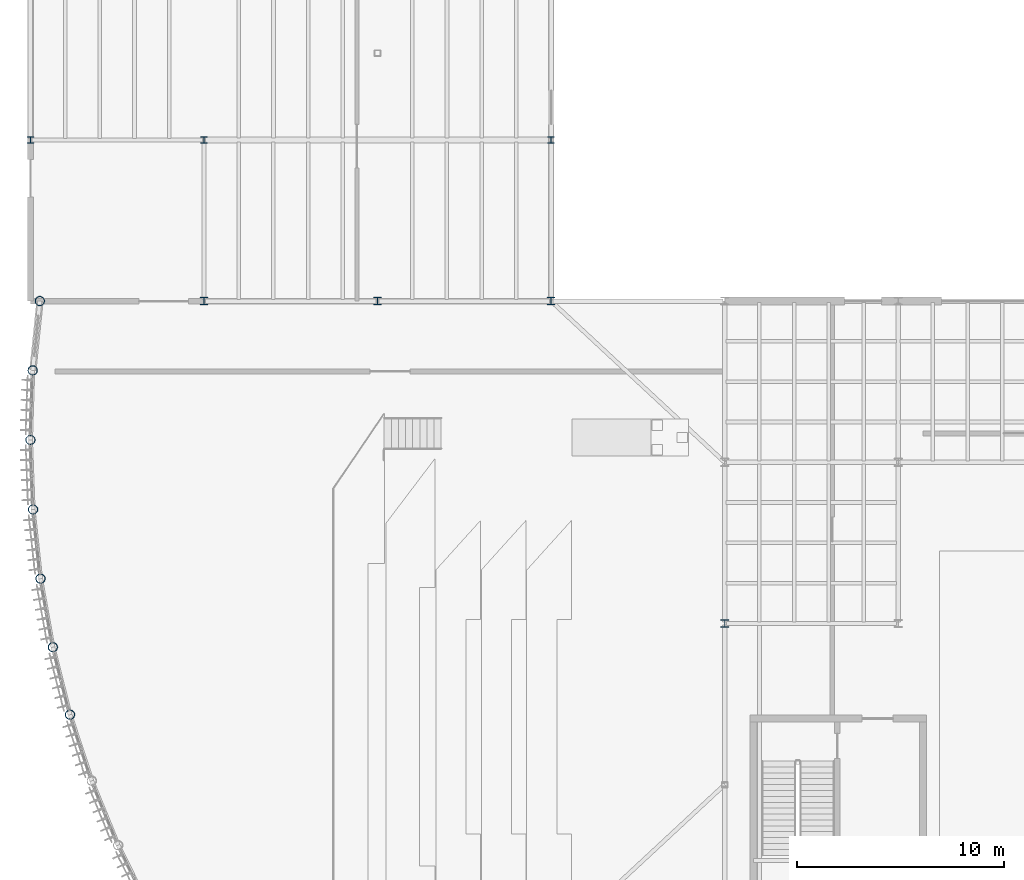
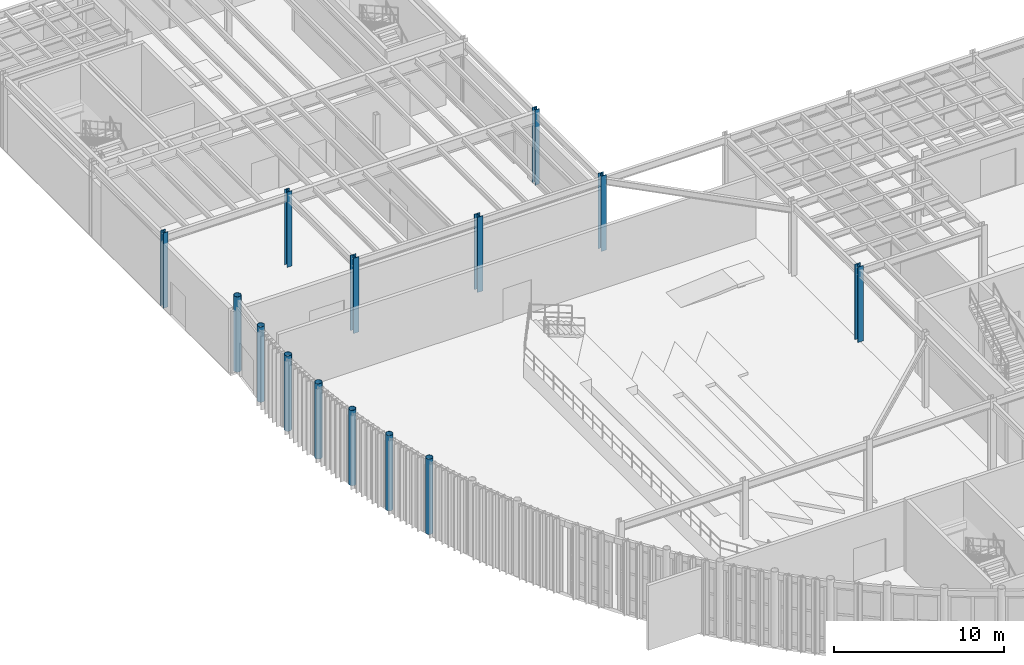
# One storey, part 5 of 87: 14 columns.
"""IFC4 building model written with IfcOpenShell, lengths in metres."""

from ifc_helpers import new_model, si_unit, direction, frame, origin, origin_2d, place, context, subcontext, project, spatial, hollow_circle, i_section, extrude, material, material_profile, profile_set, type_object, element, save


model = new_model("IFC4")

# Units and contexts
model_context = context("Model", 3, precision=1e-05, world=origin(), true_north=direction((0.0, 1.0)))
body_context = subcontext(model_context, "Body", "Model", "MODEL_VIEW")
ifc_project = project(units=[si_unit("LENGTHUNIT", "METRE"), si_unit("AREAUNIT", "SQUARE_METRE"), si_unit("VOLUMEUNIT", "CUBIC_METRE"), si_unit("PLANEANGLEUNIT", "RADIAN"), si_unit("MASSUNIT", "GRAM", prefix="KILO")], contexts=[model_context])

# Site, building, storey
site_placement = place(None, origin())
site = spatial("IfcSite", under=ifc_project, at=site_placement, CompositionType="ELEMENT")
building_placement = place(site_placement, origin())
building = spatial("IfcBuilding", under=site, at=building_placement, Name="Selat Folded Stagehouse", CompositionType="ELEMENT")
storey_placement = place(building_placement, origin())
storey = spatial("IfcBuildingStorey", under=building, at=storey_placement, Name="L00", CompositionType="ELEMENT", Elevation=0.0)

# Columns
ifc_material = material(Name="Steel S355", Category="steel")
ifc_material_profile_1 = material_profile(ifc_material, hollow_circle(Radius=0.228515625, WallThickness=0.02001953125, at=origin_2d()), Name="CHS 457.0x20.0")
ifc_profile_set_1 = profile_set([ifc_material_profile_1], Name="Steel S355")
column_type_1 = type_object("IfcColumnType", Name="COL-CHS-457x20", PredefinedType="COLUMN", material=ifc_profile_set_1)
for number, where, z_axis, x_axis, name in (
    (1, (0.455810546875, 54.60009765625, 0.0), (0.0, 0.0, 1.0), (1.0, 0.0, 0.0), "L00 column STK-DRM-00"),
    (2, (0.110107421875, 51.248779296875, 0.0), (0.0, 0.0, 1.0), (1.0, 0.0, 0.0), "L00 column STK-DRM-01"),
    (3, (0.0, 47.881591796875, 0.0), (0.0, 0.0, 1.0), (1.0, 0.0, 0.0), "L00 column STK-DRM-02"),
    (4, (0.126708984375, 44.514892578125, 0.0), (0.0, 0.0, 1.0), (1.0, 0.0, 0.0), "L00 column STK-DRM-03"),
    (5, (0.489013671875, 41.16552734375, 0.0), (0.0, 0.0, 1.0), (1.0, 0.0, 0.0), "L00 column STK-DRM-04"),
    (6, (1.08544921875, 37.849609375, 0.0), (0.0, 0.0, 1.0), (1.0, 0.0, 0.0), "L00 column STK-DRM-05"),
    (7, (1.9130859375, 34.583984375, 0.0), (0.0, 0.0, 1.0), (1.0, 0.0, 0.0), "L00 column STK-DRM-06"),
):
    element("IfcColumn", number, at=place(storey_placement, frame(where, z_axis=z_axis, x_axis=x_axis)), inside=storey, type_object=column_type_1, Name=name, PredefinedType="COLUMN", context=body_context, shape_type="SweptSolid", body=[
        extrude(hollow_circle(Radius=0.228515625, WallThickness=0.02001953125, at=origin_2d()), origin(), (0.0, 0.0, 1.0), 5.39990234375),
    ])
ifc_material_profile_2 = material_profile(ifc_material, i_section(OverallWidth=0.311279296875, OverallDepth=0.3271484375, WebThickness=0.015869140625, FlangeThickness=0.02490234375, FilletRadius=0.01513671875, at=origin_2d()), Name="UKC 305x305x158")
ifc_profile_set_2 = profile_set([ifc_material_profile_2], Name="Steel S355")
column_type_2 = type_object("IfcColumnType", Name="COL-UKC-305x305x158", PredefinedType="COLUMN", material=ifc_profile_set_2)
for number, where, z_axis, x_axis, name in (
    (8, (0.0, 62.39990234375, 0.0), (0.0, 0.0, 1.0), (1.0, 0.0, 0.0), "L00 column STK-V4-01"),
    (9, (8.39990234375, 62.39990234375, 0.0), (0.0, 0.0, 1.0), (1.0, 0.0, 0.0), "L00 column STK-V4-05"),
    (10, (25.199951171875, 62.39990234375, 0.0), (0.0, 0.0, 1.0), (1.0, 0.0, 0.0), "L00 column STK-V4-10"),
):
    element("IfcColumn", number, at=place(storey_placement, frame(where, z_axis=z_axis, x_axis=x_axis)), inside=storey, type_object=column_type_2, Name=name, PredefinedType="COLUMN", context=body_context, shape_type="SweptSolid", body=[
        extrude(i_section(OverallWidth=0.311279296875, OverallDepth=0.3271484375, WebThickness=0.015869140625, FlangeThickness=0.02490234375, FilletRadius=0.01513671875, at=origin_2d()), origin(), (0.0, 0.0, 1.0), 5.39990234375),
    ])
ifc_material_profile_3 = material_profile(ifc_material, i_section(OverallWidth=0.374755859375, OverallDepth=0.37451171875, WebThickness=0.0166015625, FlangeThickness=0.027099609375, FilletRadius=0.01513671875, at=origin_2d()), Name="UKC 356x368x202")
ifc_profile_set_3 = profile_set([ifc_material_profile_3], Name="Steel S355")
column_type_3 = type_object("IfcColumnType", Name="COL-UKC-356x368x202", PredefinedType="COLUMN", material=ifc_profile_set_3)
for number, where, z_axis, x_axis, name in (
    (11, (8.39990234375, 54.60009765625, 0.0), (0.0, 0.0, 1.0), (1.0, 0.0, 0.0), "L00 column STK-V2-03"),
    (12, (16.800048828125, 54.60009765625, 0.0), (0.0, 0.0, 1.0), (1.0, 0.0, 0.0), "L00 column STK-V2-04"),
    (13, (25.199951171875, 54.60009765625, 0.0), (0.0, 0.0, 1.0), (1.0, 0.0, 0.0), "L00 column STK-V2-05"),
    (14, (33.60009765625, 39.0, 0.0), (0.0, 0.0, 1.0), (1.0, 0.0, 0.0), "L00 column STK-V2-08"),
):
    element("IfcColumn", number, at=place(storey_placement, frame(where, z_axis=z_axis, x_axis=x_axis)), inside=storey, type_object=column_type_3, Name=name, PredefinedType="COLUMN", context=body_context, shape_type="SweptSolid", body=[
        extrude(i_section(OverallWidth=0.374755859375, OverallDepth=0.37451171875, WebThickness=0.0166015625, FlangeThickness=0.027099609375, FilletRadius=0.01513671875, at=origin_2d()), origin(), (0.0, 0.0, 1.0), 5.39990234375),
    ])

save(model, "model.ifc")
